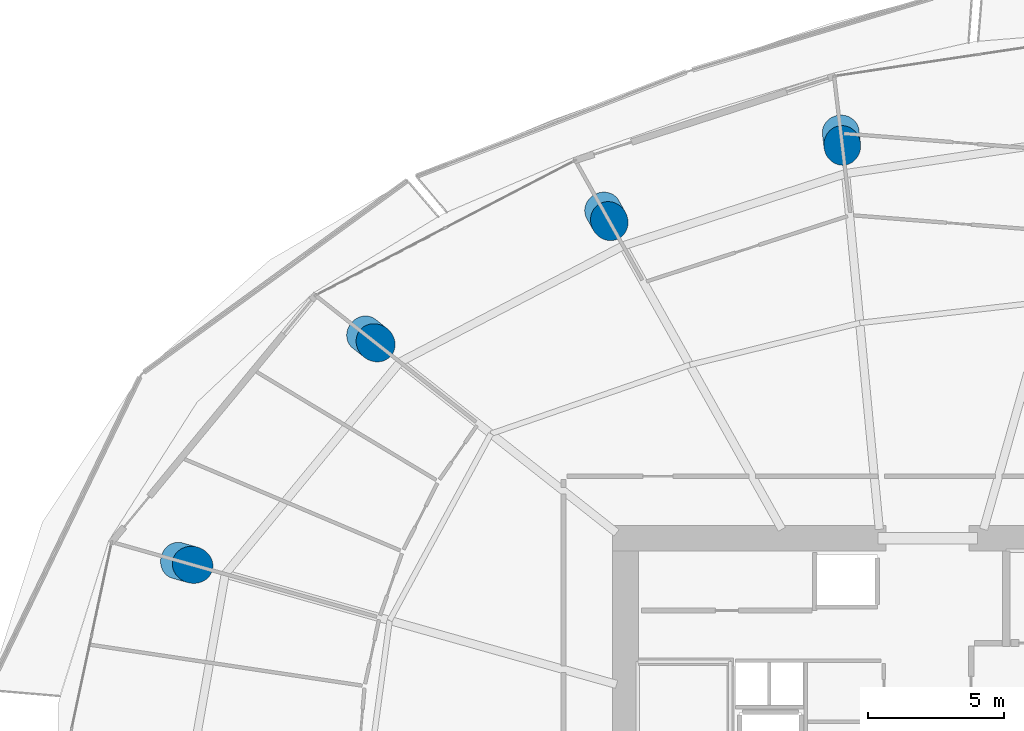
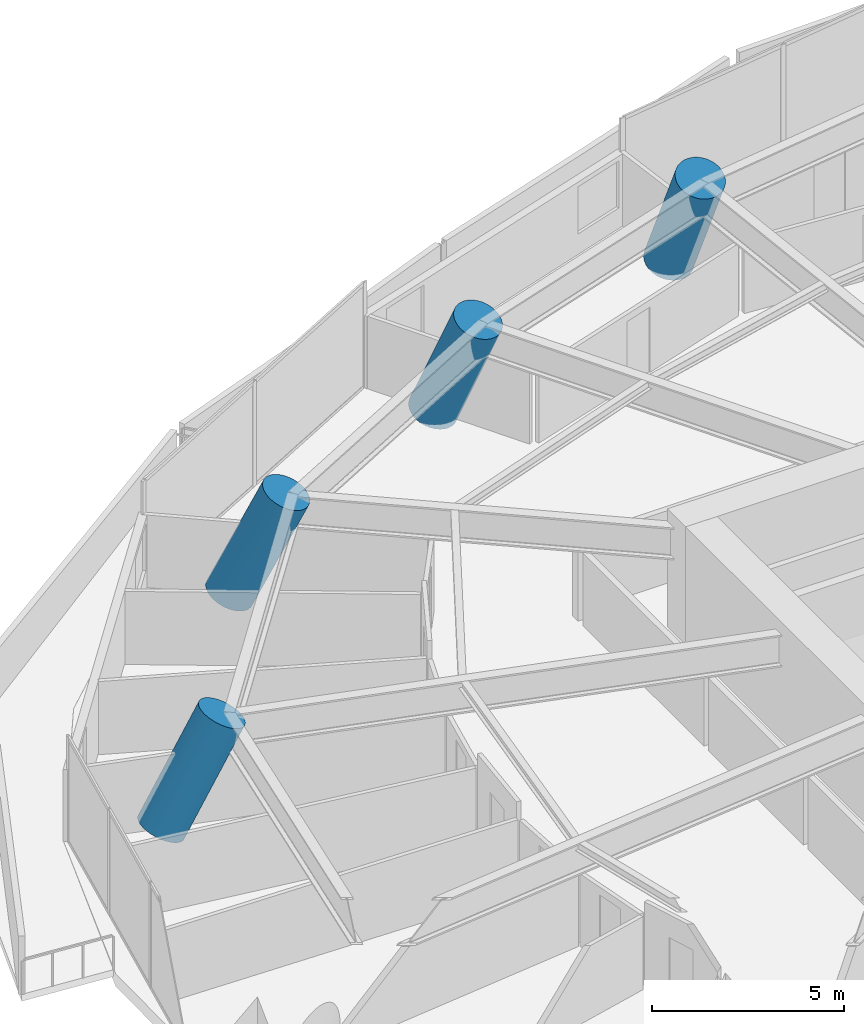
# One storey, part 4 of 31: 4 columns.
"""IFC4 building model written with IfcOpenShell, lengths in metres."""

from ifc_helpers import new_model, si_unit, direction, frame, origin, origin_2d, place, context, subcontext, project, spatial, circle, extrude, material, material_profile, profile_set, type_object, element, save


model = new_model("IFC4")

# Units and contexts
model_context = context("Model", 3, precision=1e-05, world=origin(), true_north=direction((0.0, 1.0)))
body_context = subcontext(model_context, "Body", "Model", "MODEL_VIEW")
ifc_project = project(units=[si_unit("LENGTHUNIT", "METRE"), si_unit("AREAUNIT", "SQUARE_METRE"), si_unit("VOLUMEUNIT", "CUBIC_METRE"), si_unit("PLANEANGLEUNIT", "RADIAN"), si_unit("MASSUNIT", "GRAM", prefix="KILO")], contexts=[model_context])

# Site, building, storey
site_placement = place(None, origin())
site = spatial("IfcSite", under=ifc_project, at=site_placement, CompositionType="ELEMENT")
building_placement = place(site_placement, origin())
building = spatial("IfcBuilding", under=site, at=building_placement, Name="Kazma Halo Residences", CompositionType="ELEMENT")
storey_placement = place(building_placement, frame((0.0, 0.0, 71.39990234375)))
storey = spatial("IfcBuildingStorey", under=building, at=storey_placement, Name="L17", CompositionType="ELEMENT", Elevation=71.39990234375)

# Columns
ifc_material = material(Name="Concrete C80/95", Category="concrete")
ifc_material_profile = material_profile(ifc_material, circle(Radius=0.675048828125, at=origin_2d()), Name="CIRC1350")
ifc_profile_set = profile_set([ifc_material_profile], Name="Concrete C80/95")
column_type = type_object("IfcColumnType", Name="COL-PERIM-1350", PredefinedType="COLUMN", material=ifc_profile_set)
for number, where, z_axis, x_axis, name in (
    (1, (45.231689453125, 65.389404296875, 0.0), (0.044395335114, -0.375336245044, 0.925824906435), (0.993077298067, 0.117462675198, 0.0), "L17 perimeter ring column P04"),
    (2, (36.49169921875, 62.549560546875, 0.0), (0.184668222307, -0.329730947174, 0.925837539823), (0.872484704386, 0.488641423349, 0.0), "L17 perimeter ring column P05"),
):
    element("IfcColumn", number, at=place(storey_placement, frame(where, z_axis=z_axis, x_axis=x_axis)), inside=storey, type_object=column_type, Name=name, PredefinedType="COLUMN", context=body_context, shape_type="SweptSolid", body=[
        extrude(circle(Radius=0.675048828125, at=origin_2d()), origin(), (0.0, 0.0, 1.0), 3.618408203125),
    ])
column_1_placement = place(storey_placement, frame((27.72412109375, 57.984130859375, 0.0), z_axis=(0.320814220059, -0.252899785334, 0.912754038493), x_axis=(0.619079225089, 0.785328538297, 0.0)))
element("IfcColumn", 3, at=column_1_placement, inside=storey, type_object=column_type, Name="L17 perimeter ring column P06", PredefinedType="COLUMN", context=body_context, shape_type="SweptSolid", body=[
    extrude(circle(Radius=0.675048828125, at=origin_2d()), origin(), (0.0, 0.0, 1.0), 3.67041015625),
])
column_2_placement = place(storey_placement, frame((20.859130859375, 49.654541015625, 0.0), z_axis=(0.422633852071, -0.119162449383, 0.898432489251), x_axis=(0.271371626932, 0.962474643872, 0.0)))
element("IfcColumn", 4, at=column_2_placement, inside=storey, type_object=column_type, Name="L17 perimeter ring column P07", PredefinedType="COLUMN", context=body_context, shape_type="SweptSolid", body=[
    extrude(circle(Radius=0.675048828125, at=origin_2d()), origin(), (0.0, 0.0, 1.0), 3.728759765625),
])

save(model, "model.ifc")
